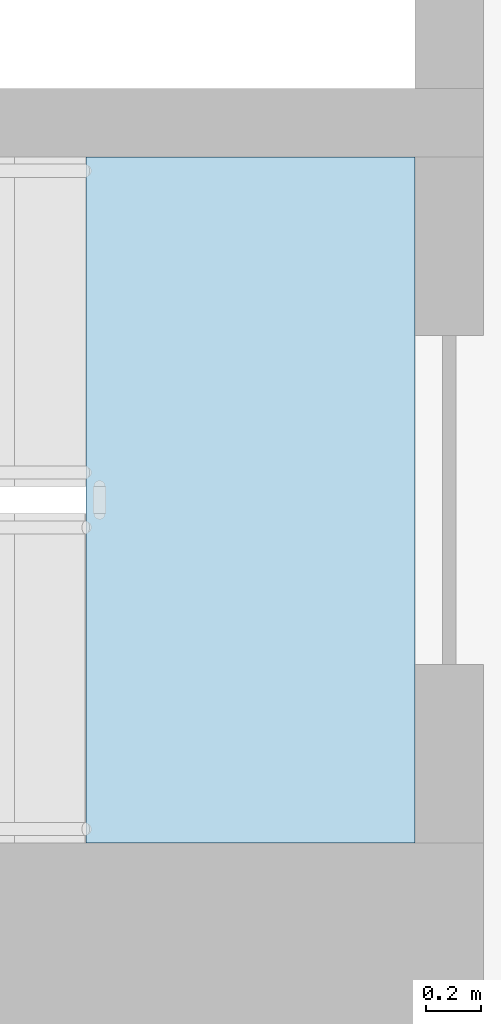
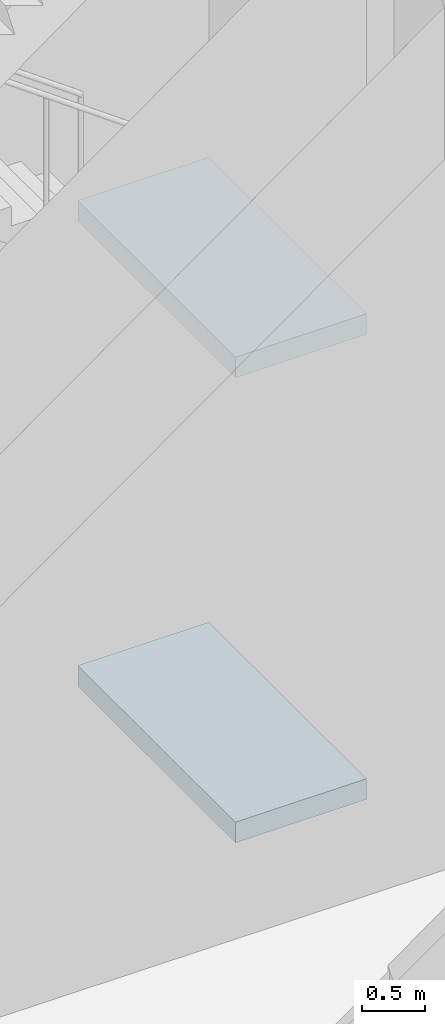
# One storey, part 4 of 35: 2 slabs, 1 element without a shape of its own.
"""IFC4 building model written with IfcOpenShell, lengths in metres."""

from ifc_helpers import new_model, si_unit, direction, frame, origin, place, context, subcontext, project, spatial, polyline, outline, extrude, material, layer, layer_set, type_object, element, aggregate, save


model = new_model("IFC4")

# Units and contexts
model_context = context("Model", 3, precision=1e-05, world=origin(), true_north=direction((0.0, 1.0)))
body_context = subcontext(model_context, "Body", "Model", "MODEL_VIEW")
ifc_project = project(units=[si_unit("LENGTHUNIT", "METRE"), si_unit("AREAUNIT", "SQUARE_METRE"), si_unit("VOLUMEUNIT", "CUBIC_METRE"), si_unit("PLANEANGLEUNIT", "RADIAN"), si_unit("MASSUNIT", "GRAM", prefix="KILO")], contexts=[model_context])

# Site, building, storey
site_placement = place(None, origin())
site = spatial("IfcSite", under=ifc_project, at=site_placement, CompositionType="ELEMENT")
building_placement = place(site_placement, origin())
building = spatial("IfcBuilding", under=site, at=building_placement, Name="Sahrelin Media Tower", CompositionType="ELEMENT")
storey_placement = place(building_placement, frame((0.0, 0.0, 17.0)))
storey = spatial("IfcBuildingStorey", under=building, at=storey_placement, Name="L02", CompositionType="ELEMENT", Elevation=17.0)

# Stair, slabs
ifc_material = material(Name="Concrete C40/50", Category="concrete")
stair_type = type_object("IfcStairType", Name="Exit stair 1200", PredefinedType="HALF_TURN_STAIR", material=ifc_material)
stair_placement = place(storey_placement, origin())
stair = element("IfcStair", 1, at=stair_placement, inside=storey, type_object=stair_type, Name="L02 Exit stair ST2", PredefinedType="HALF_TURN_STAIR")
ifc_layer = layer(ifc_material, 0.199951171875)
ifc_layer_set = layer_set([ifc_layer], Name="Stair landing 200")
slab_type = type_object("IfcSlabType", Name="Stair landing 200", PredefinedType="LANDING", material=ifc_layer_set)
slab_1_placement = place(storey_placement, frame((0.0, 0.0, 4.300048828125)))
slab_1 = element("IfcSlab", 2, at=slab_1_placement, type_object=slab_type, Name="ST2 landing 2", PredefinedType="LANDING", context=body_context, shape_type="SweptSolid", body=[
    extrude(outline(polyline([(8.875, -4.10009765625), (7.675048828125, -4.10009765625), (7.675048828125, -6.60009765625), (8.875, -6.60009765625), (8.875, -4.10009765625)])), origin(), (0.0, 0.0, 1.0), 0.199951171875),
])
slab_2_placement = place(storey_placement, frame((0.0, 0.0, -0.199951171875)))
slab_2 = element("IfcSlab", 3, at=slab_2_placement, type_object=slab_type, Name="ST2 landing 4", PredefinedType="LANDING", context=body_context, shape_type="SweptSolid", body=[
    extrude(outline(polyline([(8.875, -4.10009765625), (7.675048828125, -4.10009765625), (7.675048828125, -6.60009765625), (8.875, -6.60009765625), (8.875, -4.10009765625)])), origin(), (0.0, 0.0, 1.0), 0.199951171875),
])
aggregate(stair, [slab_1, slab_2])

save(model, "model.ifc")
